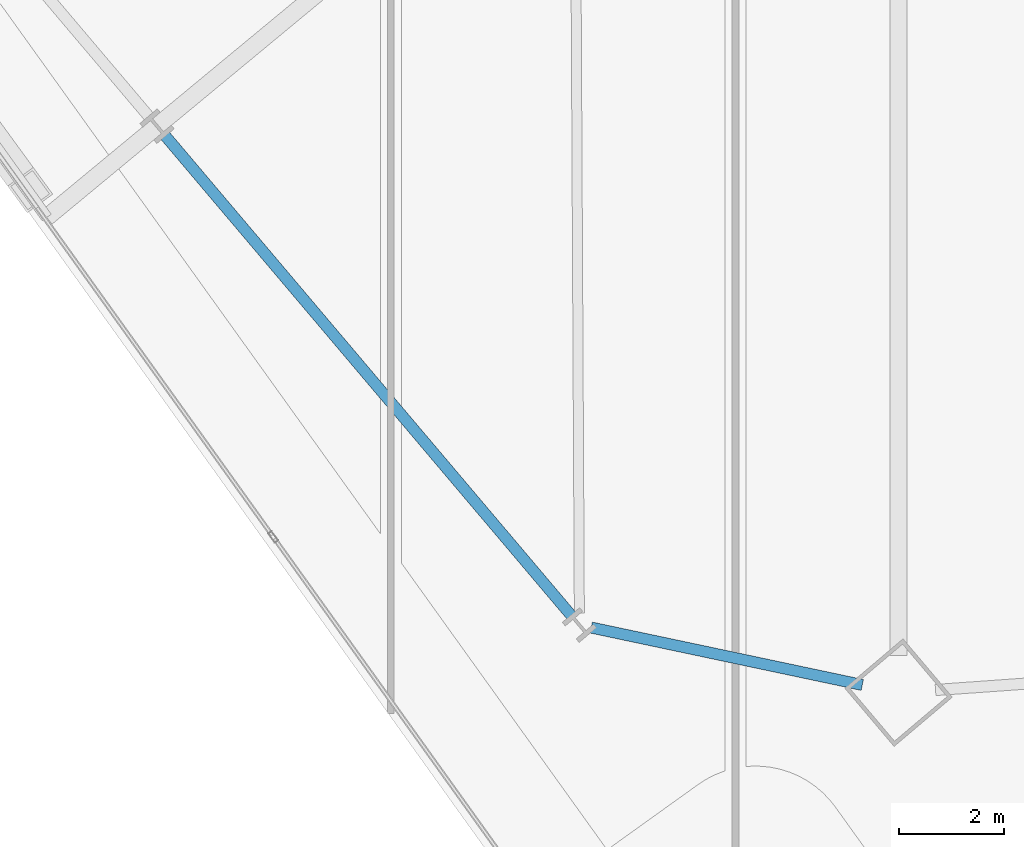
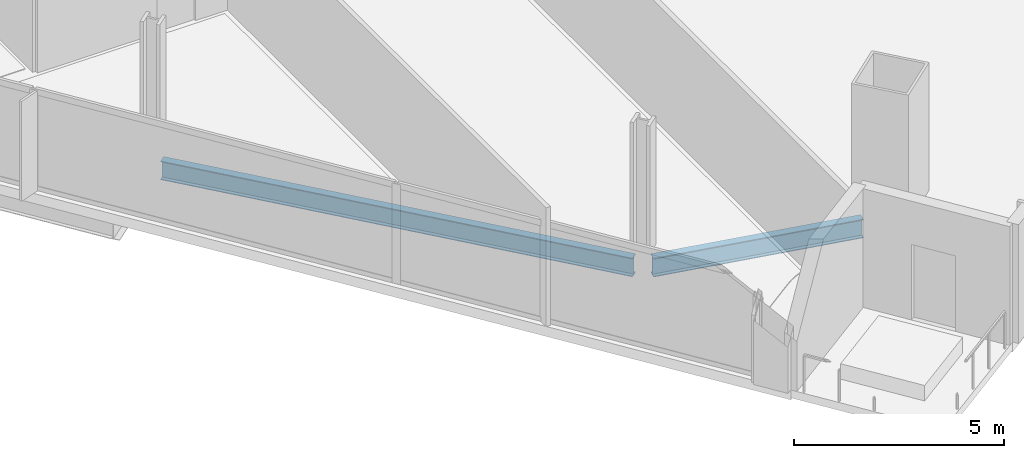
# One storey, part 3 of 33: 2 beams.
"""IFC4 building model written with IfcOpenShell, lengths in metres."""

import ifcopenshell
import ifcopenshell.guid

model = None  # the IFC model being written
_history = None  # IfcOwnerHistory: only IFC2X3 demands one
_inside = {}  # id of a spatial element -> (the spatial element, [elements in it])
_under = {}  # id of a project, library or spatial element -> (it, [spatial elements below it])
_declared = {}  # id of a project -> (the project, [libraries it declares])
_typed = {}  # id of a type object -> (the type object, [elements of that type])
_made_of = {}  # id of a material, layer set ... -> (it, [elements and type objects made of it])


def new_model(schema):
    """Start an empty IFC model of exactly this schema.

    Asked for "IFC4X3", IfcOpenShell would pick the latest addendum, in which some entities
    have other attributes; the version numbers below select the first issue.
    IFC2X3 requires an IfcOwnerHistory on every rooted entity: one is made here for all.
    """
    global model, _history
    if schema == "IFC4X3":
        model = ifcopenshell.file(schema_version=(4, 3, 0, 0))
    else:
        model = ifcopenshell.file(schema=schema)
    _inside.clear()
    _under.clear()
    _declared.clear()
    _typed.clear()
    _made_of.clear()
    _history = None
    if model.schema == "IFC2X3":
        org = make("IfcOrganization", Name="unknown")
        user = make(
            "IfcPersonAndOrganization",
            ThePerson=make("IfcPerson", FamilyName="unknown"),
            TheOrganization=org,
        )
        app = make(
            "IfcApplication",
            ApplicationDeveloper=org,
            Version="unknown",
            ApplicationFullName="unknown",
            ApplicationIdentifier="unknown",
        )
        _history = make(
            "IfcOwnerHistory",
            OwningUser=user,
            OwningApplication=app,
            ChangeAction="ADDED",
            CreationDate=0,
        )
    return model


def make(cls, **values):
    """One entity of the class cls with the attributes given. An attribute that is None is left unset."""
    return model.create_entity(
        cls, **{name: value for name, value in values.items() if value is not None}
    )


def rooted(cls, **values):
    """An entity with a GlobalId (a new one), such as an element, a storey or a relation."""
    return make(cls, GlobalId=ifcopenshell.guid.new(), OwnerHistory=_history, **values)


def si_unit(unit_type, name, prefix=None):
    """IfcSIUnit, for example si_unit("LENGTHUNIT", "METRE", prefix="MILLI")."""
    return make("IfcSIUnit", UnitType=unit_type, Prefix=prefix, Name=name)


def assignment(units):
    """IfcUnitAssignment: the units of a project."""
    return None if units is None else make("IfcUnitAssignment", Units=units)


def point(xyz):
    """IfcCartesianPoint."""
    return None if xyz is None else make("IfcCartesianPoint", Coordinates=xyz)


def direction(xyz):
    """IfcDirection."""
    return None if xyz is None else make("IfcDirection", DirectionRatios=xyz)


def frame(location, z_axis=None, x_axis=None):
    """IfcAxis2Placement3D, a coordinate frame: its origin and axes. An axis left out is left unset."""
    return make(
        "IfcAxis2Placement3D",
        Location=point(location),
        Axis=direction(z_axis),
        RefDirection=direction(x_axis),
    )


def frame_2d(location, x_axis=None):
    """IfcAxis2Placement2D, a coordinate frame in the plane: its origin and x axis."""
    return make(
        "IfcAxis2Placement2D", Location=point(location), RefDirection=direction(x_axis)
    )


def origin():
    """The frame at (0, 0, 0) with its axes left unset."""
    return frame((0.0, 0.0, 0.0))


def origin_2d():
    """The frame at (0, 0) in the plane with its x axis left unset."""
    return frame_2d((0.0, 0.0))


def place(relative_to, where):
    """IfcLocalPlacement: puts the frame where relative to a parent placement (None: the world)."""
    return make(
        "IfcLocalPlacement", PlacementRelTo=relative_to, RelativePlacement=where
    )


def context(
    kind, dimensions, precision=None, world=None, true_north=None, identifier=None
):
    """IfcGeometricRepresentationContext, for example the 3D "Model" context."""
    return make(
        "IfcGeometricRepresentationContext",
        ContextIdentifier=identifier,
        ContextType=kind,
        CoordinateSpaceDimension=dimensions,
        Precision=precision,
        WorldCoordinateSystem=world,
        TrueNorth=true_north,
    )


def subcontext(parent, identifier, kind, view, scale=None):
    """IfcGeometricRepresentationSubContext, for example "Body" below "Model"."""
    return make(
        "IfcGeometricRepresentationSubContext",
        ContextIdentifier=identifier,
        ContextType=kind,
        ParentContext=parent,
        TargetScale=scale,
        TargetView=view,
    )


def project(units=None, contexts=None):
    """IfcProject with its units and contexts."""
    return rooted(
        "IfcProject",
        Name="project",
        RepresentationContexts=contexts,
        UnitsInContext=assignment(units),
    )


def spatial(cls, under=None, at=None, **own):
    """A site, building, storey or space (cls), placed at a placement, below another one or the project."""
    s = rooted(cls, ObjectPlacement=at, **own)
    if under is not None:
        _under.setdefault(under.id(), (under, []))[1].append(s)
    return s


def profile(cls, at=None, kind="AREA", **sizes):
    """A parametric profile (cls). Its sizes go by their IFC names, for example OverallWidth=200.0."""
    return make(cls, ProfileType=kind, Position=at, **sizes)


def i_section(**sizes):
    """IfcIShapeProfileDef."""
    return profile("IfcIShapeProfileDef", **sizes)


def extrude(swept, where, along, depth):
    """IfcExtrudedAreaSolid: the profile swept, set in the frame where, extruded along a direction by depth."""
    return make(
        "IfcExtrudedAreaSolid",
        SweptArea=swept,
        Position=where,
        ExtrudedDirection=direction(along),
        Depth=depth,
    )


def shape(context_of_items, identifier, shape_type, items):
    """IfcShapeRepresentation: the items that make up one representation, for example the "Body"."""
    return make(
        "IfcShapeRepresentation",
        ContextOfItems=context_of_items,
        RepresentationIdentifier=identifier,
        RepresentationType=shape_type,
        Items=items,
    )


def material(Name=None, Category=None):
    """IfcMaterial."""
    return make("IfcMaterial", Name=Name, Category=Category)


def material_profile(
    of_material, cross_section, Name=None, Category=None, Priority=None
):
    """IfcMaterialProfile: a cross section and its material."""
    return make(
        "IfcMaterialProfile",
        Name=Name,
        Material=of_material,
        Profile=cross_section,
        Priority=Priority,
        Category=Category,
    )


def profile_set(profiles, Name=None, composite=None):
    """IfcMaterialProfileSet."""
    return make(
        "IfcMaterialProfileSet",
        Name=Name,
        MaterialProfiles=profiles,
        CompositeProfile=composite,
    )


def made_of(thing, what):
    """Note that an element or type object is made of a material, layer set ...; save() writes the relation."""
    if what is not None:
        _made_of.setdefault(what.id(), (what, []))[1].append(thing)
    return thing


def type_object(cls, material=None, **own):
    """A type object (cls), such as IfcWallType, which elements share."""
    return made_of(rooted(cls, **own), material)


def element(
    cls,
    number,
    at=None,
    inside=None,
    cuts=None,
    type_object=None,
    material=None,
    context=None,
    identifier="Body",
    shape_type=None,
    held_by="IfcProductDefinitionShape",
    body=None,
    shapes=None,
    **own,
):
    """One element of the class cls, such as IfcWall. Its Tag is "e" and its number.

    at: its placement. inside: the storey or other place that contains it. cuts: it is an
    opening in that element (IfcRelVoidsElement). A single representation is given by context,
    identifier, shape_type and body (its items); several are given by shapes. held_by: the class
    of the entity that holds the representations. save() writes the other relations.
    """
    e = rooted(cls, Tag="e%d" % number, ObjectPlacement=at, **own)
    if body is not None:
        shapes = [shape(context, identifier, shape_type, body)]
    if shapes is not None:
        e.Representation = make(held_by, Representations=shapes)
    if inside is not None:
        _inside.setdefault(inside.id(), (inside, []))[1].append(e)
    if cuts is not None:
        rooted(
            "IfcRelVoidsElement", RelatingBuildingElement=cuts, RelatedOpeningElement=e
        )
    if type_object is not None:
        _typed.setdefault(type_object.id(), (type_object, []))[1].append(e)
    return made_of(e, material)


def aggregate(whole, parts):
    """IfcRelAggregates: a whole, such as a stair, and the parts it consists of."""
    return rooted("IfcRelAggregates", RelatingObject=whole, RelatedObjects=parts)


def save(model, path):
    """Write the relations noted so far, then the file.

    IfcRelAggregates (storeys below a building ...), IfcRelContainedInSpatialStructure (elements
    in a storey), IfcRelDefinesByType, IfcRelAssociatesMaterial and IfcRelDeclares: one each for
    every whole, place, type object, material and project.
    """
    for whole, parts in _under.values():
        aggregate(whole, parts)
    for where, things in _inside.values():
        rooted(
            "IfcRelContainedInSpatialStructure",
            RelatedElements=things,
            RelatingStructure=where,
        )
    for kind, things in _typed.values():
        rooted("IfcRelDefinesByType", RelatedObjects=things, RelatingType=kind)
    for what, things in _made_of.values():
        rooted("IfcRelAssociatesMaterial", RelatedObjects=things, RelatingMaterial=what)
    for by, libraries in _declared.values():
        rooted("IfcRelDeclares", RelatingContext=by, RelatedDefinitions=libraries)
    model.write(path)


model = new_model("IFC4")

# Units and contexts
model_context = context("Model", 3, precision=1e-05, world=origin(), true_north=direction((0.0, 1.0)))
body_context = subcontext(model_context, "Body", "Model", "MODEL_VIEW")
ifc_project = project(units=[si_unit("LENGTHUNIT", "METRE"), si_unit("AREAUNIT", "SQUARE_METRE"), si_unit("VOLUMEUNIT", "CUBIC_METRE"), si_unit("PLANEANGLEUNIT", "RADIAN"), si_unit("MASSUNIT", "GRAM", prefix="KILO")], contexts=[model_context])

# Site, building, storey
site_placement = place(None, origin())
site = spatial("IfcSite", under=ifc_project, at=site_placement, CompositionType="ELEMENT")
building_placement = place(site_placement, origin())
building = spatial("IfcBuilding", under=site, at=building_placement, Name="Haldenkirk Collegiate Tower", CompositionType="ELEMENT")
storey_placement = place(building_placement, frame((0.0, 0.0, 148.199951171875)))
storey = spatial("IfcBuildingStorey", under=building, at=storey_placement, Name="L36", CompositionType="ELEMENT", Elevation=148.199951171875)

# Beams
ifc_material = material(Name="Steel ASTM A992 Grade 50", Category="steel")
ifc_material_profile = material_profile(ifc_material, i_section(OverallWidth=0.2119140625, OverallDepth=0.5439453125, WebThickness=0.01318359375, FlangeThickness=0.021240234375, at=origin_2d()), Name="W21X83")
ifc_profile_set = profile_set([ifc_material_profile], Name="Steel ASTM A992 Grade 50")
beam_type = type_object("IfcBeamType", Name="BM-SPANDREL-W21X83", PredefinedType="SPANDREL", material=ifc_profile_set)
beam_1_placement = place(storey_placement, frame((19.202880859375, 11.250732421875, -0.56201171875), z_axis=(0.646115074743, -0.763240008248, 0.0), x_axis=(0.763240008248, 0.646115074743, 0.0)))
element("IfcBeam", 1, at=beam_1_placement, inside=storey, type_object=beam_type, Name="L36 perimeter spandrel beam 15", PredefinedType="SPANDREL", context=body_context, shape_type="SweptSolid", body=[
    extrude(i_section(OverallWidth=0.2119140625, OverallDepth=0.5439453125, WebThickness=0.01318359375, FlangeThickness=0.021240234375, at=origin_2d()), origin(), (0.0, 0.0, 1.0), 11.966796875),
])
beam_2_placement = place(storey_placement, frame((27.306884765625, 1.89501953125, -0.56201171875), z_axis=(0.978307627668, -0.207157393416, 0.0), x_axis=(0.207157393416, 0.978307627668, 0.0)))
element("IfcBeam", 2, at=beam_2_placement, inside=storey, type_object=beam_type, Name="L36 perimeter spandrel beam 16", PredefinedType="SPANDREL", context=body_context, shape_type="SweptSolid", body=[
    extrude(i_section(OverallWidth=0.2119140625, OverallDepth=0.5439453125, WebThickness=0.01318359375, FlangeThickness=0.021240234375, at=origin_2d()), origin(), (0.0, 0.0, 1.0), 5.266845703125),
])

save(model, "model.ifc")
